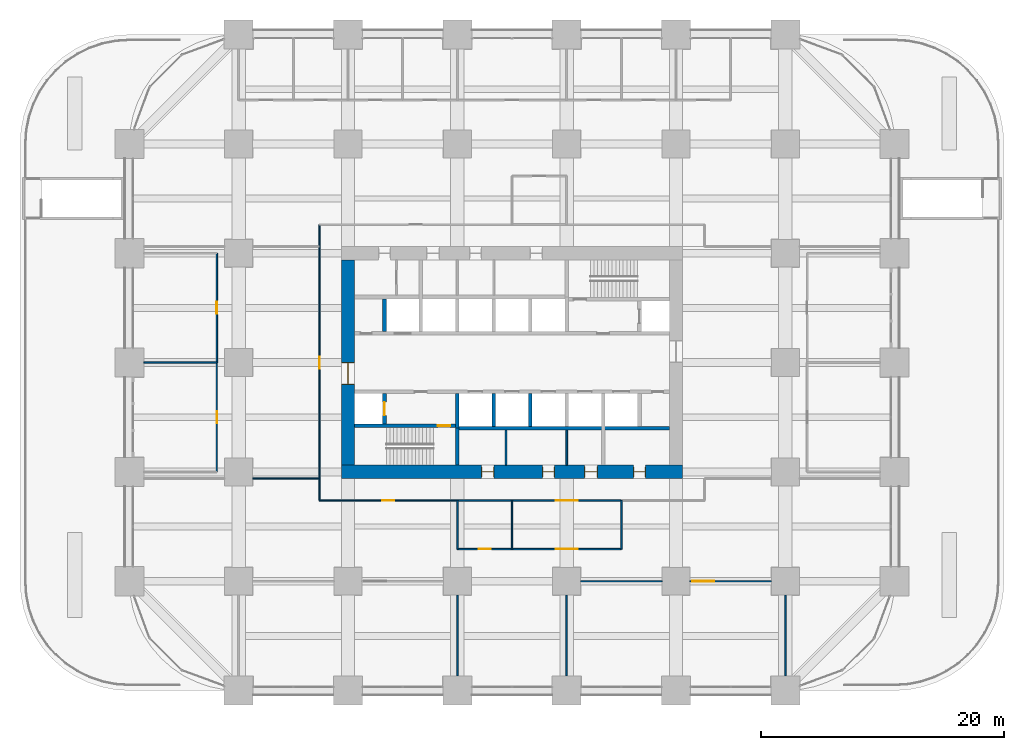
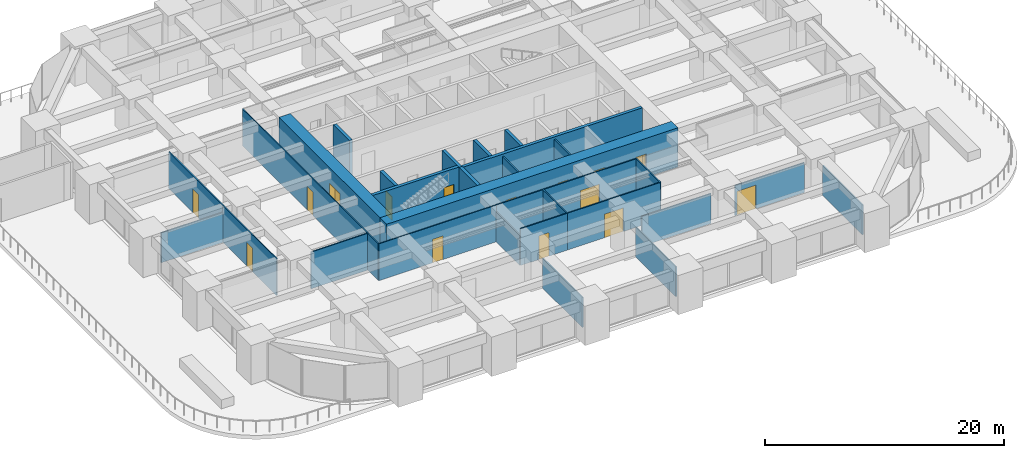
# One storey, part 32 of 38: 30 walls, 15 doors, 15 openings.
"""IFC4 building model written with IfcOpenShell, lengths in metres."""

from ifc_helpers import new_model, si_unit, direction, frame, frame_2d, origin, place, context, subcontext, project, spatial, rectangle, extrude, material, layer, layer_set, type_object, element, fill, save


model = new_model("IFC4")

# Units and contexts
model_context = context("Model", 3, precision=1e-05, world=origin(), true_north=direction((0.0, 1.0)))
body_context = subcontext(model_context, "Body", "Model", "MODEL_VIEW")
ifc_project = project(units=[si_unit("LENGTHUNIT", "METRE"), si_unit("AREAUNIT", "SQUARE_METRE"), si_unit("VOLUMEUNIT", "CUBIC_METRE"), si_unit("PLANEANGLEUNIT", "RADIAN"), si_unit("MASSUNIT", "GRAM", prefix="KILO")], contexts=[model_context])

# Site, building, storey
site_placement = place(None, origin())
site = spatial("IfcSite", under=ifc_project, at=site_placement, CompositionType="ELEMENT")
building_placement = place(site_placement, origin())
building = spatial("IfcBuilding", under=site, at=building_placement, Name="Zorevar Civic Tower", CompositionType="ELEMENT")
storey_placement = place(building_placement, frame((0.0, 0.0, 15.800048828125)))
storey = spatial("IfcBuildingStorey", under=building, at=storey_placement, Name="L03", CompositionType="ELEMENT", Elevation=15.800048828125)

# Wall, openings, doors
ifc_material_1 = material(Name="Concrete C50/60", Category="concrete")
ifc_layer_1 = layer(ifc_material_1, 1.10009765625)
ifc_layer_set_1 = layer_set([ifc_layer_1], Name="Core wall 1100")
wall_type_1 = type_object("IfcWallType", Name="Core wall 1100", PredefinedType="SHEAR", material=ifc_layer_set_1)
wall_1_placement = place(storey_placement, frame((17.449951171875, 18.0, 0.0), z_axis=(0.0, 0.0, 1.0), x_axis=(1.0, 0.0, 0.0)))
wall_1 = element("IfcWall", 1, at=wall_1_placement, inside=storey, type_object=wall_type_1, Name="Core wall S L03", PredefinedType="SHEAR", context=body_context, shape_type="SweptSolid", body=[
    extrude(rectangle(XDim=28.10009765625, YDim=1.10009765625, at=frame_2d((14.050048828125, 0.0))), origin(), (0.0, 0.0, 1.0), 4.0),
])
opening_1_placement = place(wall_1_placement, frame((11.550048828125, 0.0, 0.0)))
opening_1 = element("IfcOpeningElement", 2, at=opening_1_placement, cuts=wall_1, Name="Opening L03.03", PredefinedType="OPENING", context=body_context, shape_type="SweptSolid", body=[
    extrude(rectangle(XDim=1.0, YDim=2.39990234375, at=frame_2d((0.5, 1.199951171875))), frame((0.0, 0.56005859375, 0.0), z_axis=(0.0, -1.0, 0.0), x_axis=(1.0, 0.0, 0.0)), (0.0, 0.0, 1.0), 1.1201171875),
])
opening_2_placement = place(wall_1_placement, frame((16.550048828125, 0.0, 0.0)))
opening_2 = element("IfcOpeningElement", 3, at=opening_2_placement, cuts=wall_1, Name="Opening L03.04", PredefinedType="OPENING", context=body_context, shape_type="SweptSolid", body=[
    extrude(rectangle(XDim=1.0, YDim=2.39990234375, at=frame_2d((0.5, 1.199951171875))), frame((0.0, 0.56005859375, 0.0), z_axis=(0.0, -1.0, 0.0), x_axis=(1.0, 0.0, 0.0)), (0.0, 0.0, 1.0), 1.1201171875),
])
opening_3_placement = place(wall_1_placement, frame((20.0, 0.0, 0.0)))
opening_3 = element("IfcOpeningElement", 4, at=opening_3_placement, cuts=wall_1, Name="Opening L03.05", PredefinedType="OPENING", context=body_context, shape_type="SweptSolid", body=[
    extrude(rectangle(XDim=1.10009765625, YDim=2.39990234375, at=frame_2d((0.550048828125, 1.199951171875))), frame((0.0, 0.56005859375, 0.0), z_axis=(0.0, -1.0, 0.0), x_axis=(1.0, 0.0, 0.0)), (0.0, 0.0, 1.0), 1.1201171875),
])
opening_4_placement = place(wall_1_placement, frame((24.050048828125, 0.0, 0.0)))
opening_4 = element("IfcOpeningElement", 5, at=opening_4_placement, cuts=wall_1, Name="Opening L03.06", PredefinedType="OPENING", context=body_context, shape_type="SweptSolid", body=[
    extrude(rectangle(XDim=1.0, YDim=2.39990234375, at=frame_2d((0.5, 1.199951171875))), frame((0.0, 0.56005859375, 0.0), z_axis=(0.0, -1.0, 0.0), x_axis=(1.0, 0.0, 0.0)), (0.0, 0.0, 1.0), 1.1201171875),
])
ifc_material_2 = material(Name="Timber door set", Category="wood")
door_type_1 = type_object("IfcDoorType", Name="Door D1 1000x2400", OperationType="SINGLE_SWING_LEFT", PredefinedType="DOOR", material=ifc_material_2)
door_1_placement = place(opening_1_placement, origin())
door_1 = element("IfcDoor", 6, at=door_1_placement, inside=storey, type_object=door_type_1, Name="Door L03 02", OperationType="SINGLE_SWING_RIGHT", OverallHeight=2.39990234375, OverallWidth=1.0, PredefinedType="DOOR", context=body_context, shape_type="SweptSolid", body=[
    extrude(rectangle(XDim=1.0, YDim=2.39990234375, at=frame_2d((0.5, 1.199951171875))), frame((0.0, 0.02490234375, 0.0), z_axis=(0.0, -1.0, 0.0), x_axis=(1.0, 0.0, 0.0)), (0.0, 0.0, 1.0), 0.050048828125),
    extrude(rectangle(XDim=0.04, YDim=2.39990234375, at=frame_2d((0.02001953125, 1.199951171875))), frame((0.0, 0.39990234375, 0.0), z_axis=(0.0, -1.0, 0.0), x_axis=(1.0, 0.0, 0.0)), (0.0, 0.0, 1.0), 0.800048828125),
    extrude(rectangle(XDim=0.04, YDim=2.39990234375, at=frame_2d((0.97998046875, 1.199951171875))), frame((0.0, 0.39990234375, 0.0), z_axis=(0.0, -1.0, 0.0), x_axis=(1.0, 0.0, 0.0)), (0.0, 0.0, 1.0), 0.800048828125),
    extrude(rectangle(XDim=1.0, YDim=0.04, at=frame_2d((0.5, 2.3798828125))), frame((0.0, 0.39990234375, 0.0), z_axis=(0.0, -1.0, 0.0), x_axis=(1.0, 0.0, 0.0)), (0.0, 0.0, 1.0), 0.800048828125),
])
fill(opening_1, door_1)
door_2_placement = place(opening_2_placement, origin())
door_2 = element("IfcDoor", 7, at=door_2_placement, inside=storey, type_object=door_type_1, Name="Door L03 03", OperationType="SINGLE_SWING_LEFT", OverallHeight=2.39990234375, OverallWidth=1.0, PredefinedType="DOOR", context=body_context, shape_type="SweptSolid", body=[
    extrude(rectangle(XDim=1.0, YDim=2.39990234375, at=frame_2d((0.5, 1.199951171875))), frame((0.0, 0.02490234375, 0.0), z_axis=(0.0, -1.0, 0.0), x_axis=(1.0, 0.0, 0.0)), (0.0, 0.0, 1.0), 0.050048828125),
    extrude(rectangle(XDim=0.04, YDim=2.39990234375, at=frame_2d((0.02001953125, 1.199951171875))), frame((0.0, 0.39990234375, 0.0), z_axis=(0.0, -1.0, 0.0), x_axis=(1.0, 0.0, 0.0)), (0.0, 0.0, 1.0), 0.800048828125),
    extrude(rectangle(XDim=0.04, YDim=2.39990234375, at=frame_2d((0.97998046875, 1.199951171875))), frame((0.0, 0.39990234375, 0.0), z_axis=(0.0, -1.0, 0.0), x_axis=(1.0, 0.0, 0.0)), (0.0, 0.0, 1.0), 0.800048828125),
    extrude(rectangle(XDim=1.0, YDim=0.04, at=frame_2d((0.5, 2.3798828125))), frame((0.0, 0.39990234375, 0.0), z_axis=(0.0, -1.0, 0.0), x_axis=(1.0, 0.0, 0.0)), (0.0, 0.0, 1.0), 0.800048828125),
])
fill(opening_2, door_2)
door_3_placement = place(opening_4_placement, origin())
door_3 = element("IfcDoor", 8, at=door_3_placement, inside=storey, type_object=door_type_1, Name="Door L03 05", OperationType="SINGLE_SWING_LEFT", OverallHeight=2.39990234375, OverallWidth=1.0, PredefinedType="DOOR", context=body_context, shape_type="SweptSolid", body=[
    extrude(rectangle(XDim=1.0, YDim=2.39990234375, at=frame_2d((0.5, 1.199951171875))), frame((0.0, 0.02490234375, 0.0), z_axis=(0.0, -1.0, 0.0), x_axis=(1.0, 0.0, 0.0)), (0.0, 0.0, 1.0), 0.050048828125),
    extrude(rectangle(XDim=0.04, YDim=2.39990234375, at=frame_2d((0.02001953125, 1.199951171875))), frame((0.0, 0.39990234375, 0.0), z_axis=(0.0, -1.0, 0.0), x_axis=(1.0, 0.0, 0.0)), (0.0, 0.0, 1.0), 0.800048828125),
    extrude(rectangle(XDim=0.04, YDim=2.39990234375, at=frame_2d((0.97998046875, 1.199951171875))), frame((0.0, 0.39990234375, 0.0), z_axis=(0.0, -1.0, 0.0), x_axis=(1.0, 0.0, 0.0)), (0.0, 0.0, 1.0), 0.800048828125),
    extrude(rectangle(XDim=1.0, YDim=0.04, at=frame_2d((0.5, 2.3798828125))), frame((0.0, 0.39990234375, 0.0), z_axis=(0.0, -1.0, 0.0), x_axis=(1.0, 0.0, 0.0)), (0.0, 0.0, 1.0), 0.800048828125),
])
fill(opening_4, door_3)
ifc_material_3 = material(Name="Timber door set", Category="wood")
door_type_2 = type_object("IfcDoorType", Name="Door D5 1100x2400", OperationType="SINGLE_SWING_LEFT", PredefinedType="DOOR", material=ifc_material_3)
door_4_placement = place(opening_3_placement, origin())
door_4 = element("IfcDoor", 9, at=door_4_placement, inside=storey, type_object=door_type_2, Name="Door L03 04", OperationType="SINGLE_SWING_LEFT", OverallHeight=2.39990234375, OverallWidth=1.10009765625, PredefinedType="DOOR", context=body_context, shape_type="SweptSolid", body=[
    extrude(rectangle(XDim=1.10009765625, YDim=2.39990234375, at=frame_2d((0.550048828125, 1.199951171875))), frame((0.0, 0.02490234375, 0.0), z_axis=(0.0, -1.0, 0.0), x_axis=(1.0, 0.0, 0.0)), (0.0, 0.0, 1.0), 0.050048828125),
    extrude(rectangle(XDim=0.04, YDim=2.39990234375, at=frame_2d((0.02001953125, 1.199951171875))), frame((0.0, 0.43994140625, 0.0), z_axis=(0.0, -1.0, 0.0), x_axis=(1.0, 0.0, 0.0)), (0.0, 0.0, 1.0), 0.880126953125),
    extrude(rectangle(XDim=0.04, YDim=2.39990234375, at=frame_2d((1.080078125, 1.199951171875))), frame((0.0, 0.43994140625, 0.0), z_axis=(0.0, -1.0, 0.0), x_axis=(1.0, 0.0, 0.0)), (0.0, 0.0, 1.0), 0.880126953125),
    extrude(rectangle(XDim=1.10009765625, YDim=0.04, at=frame_2d((0.550048828125, 2.3798828125))), frame((0.0, 0.43994140625, 0.0), z_axis=(0.0, -1.0, 0.0), x_axis=(1.0, 0.0, 0.0)), (0.0, 0.0, 1.0), 0.880126953125),
])
fill(opening_3, door_4)

# Wall, opening, door
wall_2_placement = place(storey_placement, frame((18.0, 35.449951171875, 0.0), z_axis=(0.0, 0.0, 1.0), x_axis=(0.0, -1.0, 0.0)))
wall_2 = element("IfcWall", 10, at=wall_2_placement, inside=storey, type_object=wall_type_1, Name="Core wall W L03", PredefinedType="SHEAR", context=body_context, shape_type="SweptSolid", body=[
    extrude(rectangle(XDim=16.89990234375, YDim=1.10009765625, at=frame_2d((8.449951171875, 0.0))), origin(), (0.0, 0.0, 1.0), 4.0),
])
opening_5_placement = place(wall_2_placement, frame((8.449951171875, 0.0, 0.0)))
opening_5 = element("IfcOpeningElement", 11, at=opening_5_placement, cuts=wall_2, Name="Opening L03.01", PredefinedType="OPENING", context=body_context, shape_type="SweptSolid", body=[
    extrude(rectangle(XDim=1.800048828125, YDim=2.39990234375, at=frame_2d((0.89990234375, 1.199951171875))), frame((0.0, 0.56005859375, 0.0), z_axis=(0.0, -1.0, 0.0), x_axis=(1.0, 0.0, 0.0)), (0.0, 0.0, 1.0), 1.1201171875),
])
ifc_material_4 = material(Name="Steel door set", Category="steel")
door_type_3 = type_object("IfcDoorType", Name="Fire door FD2 1800x2400", OperationType="DOUBLE_DOOR_DOUBLE_SWING", PredefinedType="DOOR", material=ifc_material_4)
door_5_placement = place(opening_5_placement, origin())
door_5 = element("IfcDoor", 12, at=door_5_placement, inside=storey, type_object=door_type_3, Name="Door L03 00", OperationType="DOUBLE_DOOR_DOUBLE_SWING", OverallHeight=2.39990234375, OverallWidth=1.800048828125, PredefinedType="DOOR", context=body_context, shape_type="SweptSolid", body=[
    extrude(rectangle(XDim=1.800048828125, YDim=2.39990234375, at=frame_2d((0.89990234375, 1.199951171875))), frame((0.0, 0.030029296875, 0.0), z_axis=(0.0, -1.0, 0.0), x_axis=(1.0, 0.0, 0.0)), (0.0, 0.0, 1.0), 0.06005859375),
    extrude(rectangle(XDim=0.04, YDim=2.39990234375, at=frame_2d((0.02001953125, 1.199951171875))), frame((0.0, 0.5498046875, 0.0), z_axis=(0.0, -1.0, 0.0), x_axis=(1.0, 0.0, 0.0)), (0.0, 0.0, 1.0), 1.099609375),
    extrude(rectangle(XDim=0.04, YDim=2.39990234375, at=frame_2d((1.780029296875, 1.199951171875))), frame((0.0, 0.5498046875, 0.0), z_axis=(0.0, -1.0, 0.0), x_axis=(1.0, 0.0, 0.0)), (0.0, 0.0, 1.0), 1.099609375),
    extrude(rectangle(XDim=1.800048828125, YDim=0.04, at=frame_2d((0.89990234375, 2.3798828125))), frame((0.0, 0.5498046875, 0.0), z_axis=(0.0, -1.0, 0.0), x_axis=(1.0, 0.0, 0.0)), (0.0, 0.0, 1.0), 1.099609375),
])
fill(opening_5, door_5)

ifc_material_5 = material(Name="Laminated glass in black aluminium frame", Category="aluminium")
ifc_layer_2 = layer(ifc_material_5, 0.10009765625)
ifc_layer_set_2 = layer_set([ifc_layer_2], Name="Glazed partition 100")
wall_type_2 = type_object("IfcWallType", Name="Glazed partition 100", PredefinedType="PARTITIONING", material=ifc_layer_set_2)
wall_3_placement = place(storey_placement, frame((15.64990234375, 15.64990234375, 0.0), z_axis=(0.0, 0.0, 1.0), x_axis=(1.0, 0.0, 0.0)))
wall_3 = element("IfcWall", 13, at=wall_3_placement, inside=storey, type_object=wall_type_2, Name="Glazed partition 100 L03", PredefinedType="PARTITIONING", context=body_context, shape_type="SweptSolid", body=[
    extrude(rectangle(XDim=11.35009765625, YDim=0.10009765625, at=frame_2d((5.675048828125, 0.0))), origin(), (0.0, 0.0, 1.0), 3.75),
])
opening_6_placement = place(wall_3_placement, frame((5.175048828125, 0.0, 0.0)))
opening_6 = element("IfcOpeningElement", 14, at=opening_6_placement, cuts=wall_3, Name="Opening L03.22", PredefinedType="OPENING", context=body_context, shape_type="SweptSolid", body=[
    extrude(rectangle(XDim=1.0, YDim=2.39990234375, at=frame_2d((0.5, 1.199951171875))), frame((0.0, 0.06005859375, 0.0), z_axis=(0.0, -1.0, 0.0), x_axis=(1.0, 0.0, 0.0)), (0.0, 0.0, 1.0), 0.1201171875),
])
ifc_material_6 = material(Name="Timber door set", Category="wood")
door_type_4 = type_object("IfcDoorType", Name="Glazed door GD1 1000x2400", OperationType="SINGLE_SWING_LEFT", PredefinedType="DOOR", material=ifc_material_6)
door_6_placement = place(opening_6_placement, origin())
door_6 = element("IfcDoor", 15, at=door_6_placement, inside=storey, type_object=door_type_4, Name="Door L03 D1", OperationType="SINGLE_SWING_RIGHT", OverallHeight=2.39990234375, OverallWidth=1.0, PredefinedType="DOOR", context=body_context, shape_type="SweptSolid", body=[
    extrude(rectangle(XDim=1.0, YDim=2.39990234375, at=frame_2d((0.5, 1.199951171875))), frame((0.0, 0.02001953125, 0.0), z_axis=(0.0, -1.0, 0.0), x_axis=(1.0, 0.0, 0.0)), (0.0, 0.0, 1.0), 0.0400390625),
])
fill(opening_6, door_6)

# Wall
wall_4_placement = place(storey_placement, frame((10.14990234375, 17.449951171875, 0.0), z_axis=(0.0, 0.0, 1.0), x_axis=(1.0, 0.0, 0.0)))
element("IfcWall", 16, at=wall_4_placement, inside=storey, type_object=wall_type_2, Name="Glazed partition 100 L03", PredefinedType="PARTITIONING", context=body_context, shape_type="SweptSolid", body=[
    extrude(rectangle(XDim=5.5, YDim=0.10009765625, at=frame_2d((2.75, 0.0))), origin(), (0.0, 0.0, 1.0), 3.75),
])

# Wall, opening, door
wall_5_placement = place(storey_placement, frame((7.199951171875, 18.0, 0.0), z_axis=(0.0, 0.0, 1.0), x_axis=(0.0, 1.0, 0.0)))
wall_5 = element("IfcWall", 17, at=wall_5_placement, inside=storey, type_object=wall_type_2, Name="Glazed partition 100 L03", PredefinedType="PARTITIONING", context=body_context, shape_type="SweptSolid", body=[
    extrude(rectangle(XDim=9.0, YDim=0.10009765625, at=frame_2d((4.5, 0.0))), origin(), (0.0, 0.0, 1.0), 3.75),
])
opening_7_placement = place(wall_5_placement, frame((4.0, 0.0, 0.0)))
opening_7 = element("IfcOpeningElement", 18, at=opening_7_placement, cuts=wall_5, Name="Opening L03.34", PredefinedType="OPENING", context=body_context, shape_type="SweptSolid", body=[
    extrude(rectangle(XDim=1.0, YDim=2.39990234375, at=frame_2d((0.5, 1.199951171875))), frame((0.0, 0.06005859375, 0.0), z_axis=(0.0, -1.0, 0.0), x_axis=(1.0, 0.0, 0.0)), (0.0, 0.0, 1.0), 0.1201171875),
])
door_7_placement = place(opening_7_placement, origin())
door_7 = element("IfcDoor", 19, at=door_7_placement, inside=storey, type_object=door_type_4, Name="Door L03 D1", OperationType="SINGLE_SWING_LEFT", OverallHeight=2.39990234375, OverallWidth=1.0, PredefinedType="DOOR", context=body_context, shape_type="SweptSolid", body=[
    extrude(rectangle(XDim=1.0, YDim=2.39990234375, at=frame_2d((0.5, 1.199951171875))), frame((0.0, 0.02001953125, 0.0), z_axis=(0.0, -1.0, 0.0), x_axis=(1.0, 0.0, 0.0)), (0.0, 0.0, 1.0), 0.0400390625),
])
fill(opening_7, door_7)

wall_6_placement = place(storey_placement, frame((15.64990234375, 15.64990234375, 0.0), z_axis=(0.0, 0.0, 1.0), x_axis=(0.0, 1.0, 0.0)))
wall_6 = element("IfcWall", 20, at=wall_6_placement, inside=storey, type_object=wall_type_2, Name="Glazed partition 100 L03", PredefinedType="PARTITIONING", context=body_context, shape_type="SweptSolid", body=[
    extrude(rectangle(XDim=22.7001953125, YDim=0.10009765625, at=frame_2d((11.35009765625, 0.0))), origin(), (0.0, 0.0, 1.0), 3.75),
])
opening_8_placement = place(wall_6_placement, frame((10.85009765625, 0.0, 0.0)))
opening_8 = element("IfcOpeningElement", 21, at=opening_8_placement, cuts=wall_6, Name="Opening L03.35", PredefinedType="OPENING", context=body_context, shape_type="SweptSolid", body=[
    extrude(rectangle(XDim=1.0, YDim=2.39990234375, at=frame_2d((0.5, 1.199951171875))), frame((0.0, 0.06005859375, 0.0), z_axis=(0.0, -1.0, 0.0), x_axis=(1.0, 0.0, 0.0)), (0.0, 0.0, 1.0), 0.1201171875),
])
door_8_placement = place(opening_8_placement, origin())
door_8 = element("IfcDoor", 22, at=door_8_placement, inside=storey, type_object=door_type_4, Name="Door L03 D1", OperationType="SINGLE_SWING_RIGHT", OverallHeight=2.39990234375, OverallWidth=1.0, PredefinedType="DOOR", context=body_context, shape_type="SweptSolid", body=[
    extrude(rectangle(XDim=1.0, YDim=2.39990234375, at=frame_2d((0.5, 1.199951171875))), frame((0.0, 0.02001953125, 0.0), z_axis=(0.0, -1.0, 0.0), x_axis=(1.0, 0.0, 0.0)), (0.0, 0.0, 1.0), 0.0400390625),
])
fill(opening_8, door_8)

ifc_material_7 = material(Name="Concrete C40/50", Category="concrete")
ifc_layer_3 = layer(ifc_material_7, 0.300048828125)
ifc_layer_set_3 = layer_set([ifc_layer_3], Name="Inner core wall 300")
wall_type_3 = type_object("IfcWallType", Name="Inner core wall 300", PredefinedType="SHEAR", material=ifc_layer_set_3)
wall_7_placement = place(storey_placement, frame((18.550048828125, 21.800048828125, 0.0), z_axis=(0.0, 0.0, 1.0), x_axis=(1.0, 0.0, 0.0)))
wall_7 = element("IfcWall", 23, at=wall_7_placement, inside=storey, type_object=wall_type_3, Name="Inner core wall S00 L03", PredefinedType="SHEAR", context=body_context, shape_type="SweptSolid", body=[
    extrude(rectangle(XDim=8.300048828125, YDim=0.300048828125, at=frame_2d((4.14990234375, 0.0))), origin(), (0.0, 0.0, 1.0), 4.0),
])
opening_9_placement = place(wall_7_placement, frame((6.85009765625, 0.0, 0.0)))
opening_9 = element("IfcOpeningElement", 24, at=opening_9_placement, cuts=wall_7, Name="Opening L03.11", PredefinedType="OPENING", context=body_context, shape_type="SweptSolid", body=[
    extrude(rectangle(XDim=1.0, YDim=2.39990234375, at=frame_2d((0.5, 1.199951171875))), frame((0.0, 0.159912109375, 0.0), z_axis=(0.0, -1.0, 0.0), x_axis=(1.0, 0.0, 0.0)), (0.0, 0.0, 1.0), 0.320068359375),
])
ifc_material_8 = material(Name="Steel door set", Category="steel")
door_type_5 = type_object("IfcDoorType", Name="Fire door FD1 1000x2400", OperationType="SINGLE_SWING_LEFT", PredefinedType="DOOR", material=ifc_material_8)
door_9_placement = place(opening_9_placement, origin())
door_9 = element("IfcDoor", 25, at=door_9_placement, inside=storey, type_object=door_type_5, Name="Door L03 10", OperationType="SINGLE_SWING_RIGHT", OverallHeight=2.39990234375, OverallWidth=1.0, PredefinedType="DOOR", context=body_context, shape_type="SweptSolid", body=[
    extrude(rectangle(XDim=1.0, YDim=2.39990234375, at=frame_2d((0.5, 1.199951171875))), frame((0.0, 0.030029296875, 0.0), z_axis=(0.0, -1.0, 0.0), x_axis=(1.0, 0.0, 0.0)), (0.0, 0.0, 1.0), 0.06005859375),
])
fill(opening_9, door_9)

# Wall
wall_8_placement = place(storey_placement, frame((27.0, 18.550048828125, 0.0), z_axis=(0.0, 0.0, 1.0), x_axis=(0.0, 1.0, 0.0)))
element("IfcWall", 26, at=wall_8_placement, inside=storey, type_object=wall_type_3, Name="Inner core wall S01 L03", PredefinedType="SHEAR", context=body_context, shape_type="SweptSolid", body=[
    extrude(rectangle(XDim=3.050048828125, YDim=0.300048828125, at=frame_2d((1.52490234375, 0.0))), origin(), (0.0, 0.0, 1.0), 4.0),
])

# Wall, opening, door
wall_9_placement = place(storey_placement, frame((21.0, 21.949951171875, 0.0), z_axis=(0.0, 0.0, 1.0), x_axis=(0.0, 1.0, 0.0)))
wall_9 = element("IfcWall", 27, at=wall_9_placement, inside=storey, type_object=wall_type_3, Name="Inner core wall S02 L03", PredefinedType="SHEAR", context=body_context, shape_type="SweptSolid", body=[
    extrude(rectangle(XDim=2.5, YDim=0.300048828125, at=frame_2d((1.25, 0.0))), origin(), (0.0, 0.0, 1.0), 4.0),
])
opening_10_placement = place(wall_9_placement, frame((0.699951171875, 0.0, 0.0)))
opening_10 = element("IfcOpeningElement", 28, at=opening_10_placement, cuts=wall_9, Name="Opening L03.FL1", PredefinedType="OPENING", context=body_context, shape_type="SweptSolid", body=[
    extrude(rectangle(XDim=1.10009765625, YDim=2.39990234375, at=frame_2d((0.550048828125, 1.199951171875))), frame((0.0, 0.159912109375, 0.0), z_axis=(0.0, -1.0, 0.0), x_axis=(1.0, 0.0, 0.0)), (0.0, 0.0, 1.0), 0.320068359375),
])
ifc_material_9 = material(Name="Steel door set", Category="steel")
door_type_6 = type_object("IfcDoorType", Name="Firefighting lift landing door LD3 1100x2400", OperationType="DOUBLE_DOOR_SLIDING", PredefinedType="DOOR", material=ifc_material_9)
door_10_placement = place(opening_10_placement, origin())
door_10 = element("IfcDoor", 29, at=door_10_placement, inside=storey, type_object=door_type_6, Name="Landing door FL1 L03", OperationType="DOUBLE_DOOR_SLIDING", OverallHeight=2.39990234375, OverallWidth=1.10009765625, PredefinedType="DOOR", context=body_context, shape_type="SweptSolid", body=[
    extrude(rectangle(XDim=1.10009765625, YDim=2.39990234375, at=frame_2d((0.550048828125, 1.199951171875))), frame((0.0, 0.030029296875, 0.0), z_axis=(0.0, -1.0, 0.0), x_axis=(1.0, 0.0, 0.0)), (0.0, 0.0, 1.0), 0.06005859375),
])
fill(opening_10, door_10)

# Walls
wall_10_placement = place(storey_placement, frame((27.14990234375, 21.60009765625, 0.0), z_axis=(0.0, 0.0, 1.0), x_axis=(1.0, 0.0, 0.0)))
element("IfcWall", 30, at=wall_10_placement, inside=storey, type_object=wall_type_3, Name="Inner core wall S04 L03", PredefinedType="SHEAR", context=body_context, shape_type="SweptSolid", body=[
    extrude(rectangle(XDim=17.300048828125, YDim=0.300048828125, at=frame_2d((8.64990234375, 0.0))), origin(), (0.0, 0.0, 1.0), 4.0),
])
for number, where, z_axis, x_axis, name in (
    (31, (30.0, 21.75, 0.0), (0.0, 0.0, 1.0), (0.0, 1.0, 0.0), "Inner core wall S05 L03"),
    (32, (33.0, 21.75, 0.0), (0.0, 0.0, 1.0), (0.0, 1.0, 0.0), "Inner core wall S06 L03"),
    (33, (21.0, 29.550048828125, 0.0), (0.0, 0.0, 1.0), (0.0, 1.0, 0.0), "Inner core wall N09 L03"),
):
    element("IfcWall", number, at=place(storey_placement, frame(where, z_axis=z_axis, x_axis=x_axis)), inside=storey, type_object=wall_type_3, Name=name, PredefinedType="SHEAR", context=body_context, shape_type="SweptSolid", body=[
        extrude(rectangle(XDim=2.699951171875, YDim=0.300048828125, at=frame_2d((1.35009765625, 0.0))), origin(), (0.0, 0.0, 1.0), 4.0),
    ])
wall_11_placement = place(storey_placement, frame((27.0, 21.60009765625, 0.0), z_axis=(0.0, 0.0, 1.0), x_axis=(0.0, 1.0, 0.0)))
element("IfcWall", 34, at=wall_11_placement, inside=storey, type_object=wall_type_3, Name="Inner core wall S10 L03", PredefinedType="SHEAR", context=body_context, shape_type="SweptSolid", body=[
    extrude(rectangle(XDim=2.849853515625, YDim=0.300048828125, at=frame_2d((1.4248046875, 0.0))), origin(), (0.0, 0.0, 1.0), 4.0),
])
ifc_material_10 = material(Name="Gypsum board on steel studs", Category="steel")
ifc_layer_4 = layer(ifc_material_10, 0.1201171875)
ifc_layer_set_4 = layer_set([ifc_layer_4], Name="Partition 120")
wall_type_4 = type_object("IfcWallType", Name="Partition 120", PredefinedType="PARTITIONING", material=ifc_layer_set_4)
wall_12_placement = place(storey_placement, frame((37.14990234375, 9.0, 0.0), z_axis=(0.0, 0.0, 1.0), x_axis=(1.0, 0.0, 0.0)))
element("IfcWall", 35, at=wall_12_placement, inside=storey, type_object=wall_type_4, Name="Partition 120 L03", PredefinedType="PARTITIONING", context=body_context, shape_type="SweptSolid", body=[
    extrude(rectangle(XDim=6.7001953125, YDim=0.1201171875, at=frame_2d((3.35009765625, 0.0))), origin(), (0.0, 0.0, 1.0), 3.050048828125),
])

# Wall, opening, door
wall_13_placement = place(storey_placement, frame((46.14990234375, 9.0, 0.0), z_axis=(0.0, 0.0, 1.0), x_axis=(1.0, 0.0, 0.0)))
wall_13 = element("IfcWall", 36, at=wall_13_placement, inside=storey, type_object=wall_type_4, Name="Partition 120 L03", PredefinedType="PARTITIONING", context=body_context, shape_type="SweptSolid", body=[
    extrude(rectangle(XDim=6.7001953125, YDim=0.1201171875, at=frame_2d((3.35009765625, 0.0))), origin(), (0.0, 0.0, 1.0), 3.050048828125),
])
opening_11_placement = place(wall_13_placement, frame((0.199951171875, 0.0, 0.0)))
opening_11 = element("IfcOpeningElement", 37, at=opening_11_placement, cuts=wall_13, Name="Opening L03.18", PredefinedType="OPENING", context=body_context, shape_type="SweptSolid", body=[
    extrude(rectangle(XDim=1.800048828125, YDim=2.39990234375, at=frame_2d((0.89990234375, 1.199951171875))), frame((0.0, 0.070068359375, 0.0), z_axis=(0.0, -1.0, 0.0), x_axis=(1.0, 0.0, 0.0)), (0.0, 0.0, 1.0), 0.14013671875),
])
ifc_material_11 = material(Name="Steel door set", Category="steel")
door_type_7 = type_object("IfcDoorType", Name="Door D2 1800x2400", OperationType="DOUBLE_DOOR_SINGLE_SWING", PredefinedType="DOOR", material=ifc_material_11)
door_11_placement = place(opening_11_placement, origin())
door_11 = element("IfcDoor", 38, at=door_11_placement, inside=storey, type_object=door_type_7, Name="Door L03 D1", OperationType="DOUBLE_DOOR_SINGLE_SWING", OverallHeight=2.39990234375, OverallWidth=1.800048828125, PredefinedType="DOOR", context=body_context, shape_type="SweptSolid", body=[
    extrude(rectangle(XDim=1.800048828125, YDim=2.39990234375, at=frame_2d((0.89990234375, 1.199951171875))), frame((0.0, 0.02490234375, 0.0), z_axis=(0.0, -1.0, 0.0), x_axis=(1.0, 0.0, 0.0)), (0.0, 0.0, 1.0), 0.050048828125),
])
fill(opening_11, door_11)

wall_14_placement = place(storey_placement, frame((27.0, 11.64990234375, 0.0), z_axis=(0.0, 0.0, 1.0), x_axis=(1.0, 0.0, 0.0)))
wall_14 = element("IfcWall", 39, at=wall_14_placement, inside=storey, type_object=wall_type_4, Name="Partition 120 L03", PredefinedType="PARTITIONING", context=body_context, shape_type="SweptSolid", body=[
    extrude(rectangle(XDim=4.5, YDim=0.1201171875, at=frame_2d((2.25, 0.0))), origin(), (0.0, 0.0, 1.0), 3.75),
])
opening_12_placement = place(wall_14_placement, frame((1.75, 0.0, 0.0)))
opening_12 = element("IfcOpeningElement", 40, at=opening_12_placement, cuts=wall_14, Name="Opening L03.19", PredefinedType="OPENING", context=body_context, shape_type="SweptSolid", body=[
    extrude(rectangle(XDim=1.0, YDim=2.39990234375, at=frame_2d((0.5, 1.199951171875))), frame((0.0, 0.070068359375, 0.0), z_axis=(0.0, -1.0, 0.0), x_axis=(1.0, 0.0, 0.0)), (0.0, 0.0, 1.0), 0.14013671875),
])
door_12_placement = place(opening_12_placement, origin())
door_12 = element("IfcDoor", 41, at=door_12_placement, inside=storey, type_object=door_type_1, Name="Door L03 D1", OperationType="SINGLE_SWING_LEFT", OverallHeight=2.39990234375, OverallWidth=1.0, PredefinedType="DOOR", context=body_context, shape_type="SweptSolid", body=[
    extrude(rectangle(XDim=1.0, YDim=2.39990234375, at=frame_2d((0.5, 1.199951171875))), frame((0.0, 0.02490234375, 0.0), z_axis=(0.0, -1.0, 0.0), x_axis=(1.0, 0.0, 0.0)), (0.0, 0.0, 1.0), 0.050048828125),
])
fill(opening_12, door_12)

wall_15_placement = place(storey_placement, frame((31.5, 11.64990234375, 0.0), z_axis=(0.0, 0.0, 1.0), x_axis=(1.0, 0.0, 0.0)))
wall_15 = element("IfcWall", 42, at=wall_15_placement, inside=storey, type_object=wall_type_4, Name="Partition 120 L03", PredefinedType="PARTITIONING", context=body_context, shape_type="SweptSolid", body=[
    extrude(rectangle(XDim=9.0, YDim=0.1201171875, at=frame_2d((4.5, 0.0))), origin(), (0.0, 0.0, 1.0), 3.75),
])
opening_13_placement = place(wall_15_placement, frame((3.60009765625, 0.0, 0.0)))
opening_13 = element("IfcOpeningElement", 43, at=opening_13_placement, cuts=wall_15, Name="Opening L03.20", PredefinedType="OPENING", context=body_context, shape_type="SweptSolid", body=[
    extrude(rectangle(XDim=1.800048828125, YDim=2.39990234375, at=frame_2d((0.89990234375, 1.199951171875))), frame((0.0, 0.070068359375, 0.0), z_axis=(0.0, -1.0, 0.0), x_axis=(1.0, 0.0, 0.0)), (0.0, 0.0, 1.0), 0.14013671875),
])
door_13_placement = place(opening_13_placement, origin())
door_13 = element("IfcDoor", 44, at=door_13_placement, inside=storey, type_object=door_type_7, Name="Door L03 D1", OperationType="DOUBLE_DOOR_SINGLE_SWING", OverallHeight=2.39990234375, OverallWidth=1.800048828125, PredefinedType="DOOR", context=body_context, shape_type="SweptSolid", body=[
    extrude(rectangle(XDim=1.800048828125, YDim=2.39990234375, at=frame_2d((0.89990234375, 1.199951171875))), frame((0.0, 0.02490234375, 0.0), z_axis=(0.0, -1.0, 0.0), x_axis=(1.0, 0.0, 0.0)), (0.0, 0.0, 1.0), 0.050048828125),
])
fill(opening_13, door_13)

# Wall
wall_16_placement = place(storey_placement, frame((27.0, 15.64990234375, 0.0), z_axis=(0.0, 0.0, 1.0), x_axis=(1.0, 0.0, 0.0)))
element("IfcWall", 45, at=wall_16_placement, inside=storey, type_object=wall_type_4, Name="Partition 120 L03", PredefinedType="PARTITIONING", context=body_context, shape_type="SweptSolid", body=[
    extrude(rectangle(XDim=4.5, YDim=0.1201171875, at=frame_2d((2.25, 0.0))), origin(), (0.0, 0.0, 1.0), 3.75),
])

# Wall, opening, door
wall_17_placement = place(storey_placement, frame((31.5, 15.64990234375, 0.0), z_axis=(0.0, 0.0, 1.0), x_axis=(1.0, 0.0, 0.0)))
wall_17 = element("IfcWall", 46, at=wall_17_placement, inside=storey, type_object=wall_type_4, Name="Partition 120 L03", PredefinedType="PARTITIONING", context=body_context, shape_type="SweptSolid", body=[
    extrude(rectangle(XDim=9.0, YDim=0.1201171875, at=frame_2d((4.5, 0.0))), origin(), (0.0, 0.0, 1.0), 3.75),
])
opening_14_placement = place(wall_17_placement, frame((3.60009765625, 0.0, 0.0)))
opening_14 = element("IfcOpeningElement", 47, at=opening_14_placement, cuts=wall_17, Name="Opening L03.21", PredefinedType="OPENING", context=body_context, shape_type="SweptSolid", body=[
    extrude(rectangle(XDim=1.800048828125, YDim=2.39990234375, at=frame_2d((0.89990234375, 1.199951171875))), frame((0.0, 0.070068359375, 0.0), z_axis=(0.0, -1.0, 0.0), x_axis=(1.0, 0.0, 0.0)), (0.0, 0.0, 1.0), 0.14013671875),
])
door_14_placement = place(opening_14_placement, origin())
door_14 = element("IfcDoor", 48, at=door_14_placement, inside=storey, type_object=door_type_7, Name="Door L03 D1", OperationType="DOUBLE_DOOR_SINGLE_SWING", OverallHeight=2.39990234375, OverallWidth=1.800048828125, PredefinedType="DOOR", context=body_context, shape_type="SweptSolid", body=[
    extrude(rectangle(XDim=1.800048828125, YDim=2.39990234375, at=frame_2d((0.89990234375, 1.199951171875))), frame((0.0, 0.02490234375, 0.0), z_axis=(0.0, -1.0, 0.0), x_axis=(1.0, 0.0, 0.0)), (0.0, 0.0, 1.0), 0.050048828125),
])
fill(opening_14, door_14)

# Wall
wall_18_placement = place(storey_placement, frame((1.199951171875, 27.0, 0.0), z_axis=(0.0, 0.0, 1.0), x_axis=(1.0, 0.0, 0.0)))
element("IfcWall", 49, at=wall_18_placement, inside=storey, type_object=wall_type_4, Name="Partition 120 L03", PredefinedType="PARTITIONING", context=body_context, shape_type="SweptSolid", body=[
    extrude(rectangle(XDim=6.0, YDim=0.1201171875, at=frame_2d((3.0, 0.0))), origin(), (0.0, 0.0, 1.0), 3.050048828125),
])

# Wall, opening, door
wall_19_placement = place(storey_placement, frame((7.199951171875, 27.0, 0.0), z_axis=(0.0, 0.0, 1.0), x_axis=(0.0, 1.0, 0.0)))
wall_19 = element("IfcWall", 50, at=wall_19_placement, inside=storey, type_object=wall_type_4, Name="Partition 120 L03", PredefinedType="PARTITIONING", context=body_context, shape_type="SweptSolid", body=[
    extrude(rectangle(XDim=9.0, YDim=0.1201171875, at=frame_2d((4.5, 0.0))), origin(), (0.0, 0.0, 1.0), 3.75),
])
opening_15_placement = place(wall_19_placement, frame((4.0, 0.0, 0.0)))
opening_15 = element("IfcOpeningElement", 51, at=opening_15_placement, cuts=wall_19, Name="Opening L03.33", PredefinedType="OPENING", context=body_context, shape_type="SweptSolid", body=[
    extrude(rectangle(XDim=1.0, YDim=2.39990234375, at=frame_2d((0.5, 1.199951171875))), frame((0.0, 0.070068359375, 0.0), z_axis=(0.0, -1.0, 0.0), x_axis=(1.0, 0.0, 0.0)), (0.0, 0.0, 1.0), 0.14013671875),
])
door_15_placement = place(opening_15_placement, origin())
door_15 = element("IfcDoor", 52, at=door_15_placement, inside=storey, type_object=door_type_1, Name="Door L03 D1", OperationType="SINGLE_SWING_RIGHT", OverallHeight=2.39990234375, OverallWidth=1.0, PredefinedType="DOOR", context=body_context, shape_type="SweptSolid", body=[
    extrude(rectangle(XDim=1.0, YDim=2.39990234375, at=frame_2d((0.5, 1.199951171875))), frame((0.0, 0.02490234375, 0.0), z_axis=(0.0, -1.0, 0.0), x_axis=(1.0, 0.0, 0.0)), (0.0, 0.0, 1.0), 0.050048828125),
])
fill(opening_15, door_15)

# Walls
wall_20_placement = place(storey_placement, frame((27.0, 1.199951171875, 0.0), z_axis=(0.0, 0.0, 1.0), x_axis=(0.0, 1.0, 0.0)))
element("IfcWall", 53, at=wall_20_placement, inside=storey, type_object=wall_type_4, Name="Partition 120 L03", PredefinedType="PARTITIONING", context=body_context, shape_type="SweptSolid", body=[
    extrude(rectangle(XDim=6.650146484375, YDim=0.1201171875, at=frame_2d((3.3251953125, 0.0))), origin(), (0.0, 0.0, 1.0), 3.050048828125),
])
wall_21_placement = place(storey_placement, frame((27.0, 11.64990234375, 0.0), z_axis=(0.0, 0.0, 1.0), x_axis=(0.0, 1.0, 0.0)))
element("IfcWall", 54, at=wall_21_placement, inside=storey, type_object=wall_type_4, Name="Partition 120 L03", PredefinedType="PARTITIONING", context=body_context, shape_type="SweptSolid", body=[
    extrude(rectangle(XDim=4.0, YDim=0.1201171875, at=frame_2d((2.0, 0.0))), origin(), (0.0, 0.0, 1.0), 3.050048828125),
])
wall_22_placement = place(storey_placement, frame((31.5, 11.64990234375, 0.0), z_axis=(0.0, 0.0, 1.0), x_axis=(0.0, 1.0, 0.0)))
element("IfcWall", 55, at=wall_22_placement, inside=storey, type_object=wall_type_4, Name="Partition 120 L03", PredefinedType="PARTITIONING", context=body_context, shape_type="SweptSolid", body=[
    extrude(rectangle(XDim=4.0, YDim=0.1201171875, at=frame_2d((2.0, 0.0))), origin(), (0.0, 0.0, 1.0), 3.75),
])
wall_23_placement = place(storey_placement, frame((36.0, 1.199951171875, 0.0), z_axis=(0.0, 0.0, 1.0), x_axis=(0.0, 1.0, 0.0)))
element("IfcWall", 56, at=wall_23_placement, inside=storey, type_object=wall_type_4, Name="Partition 120 L03", PredefinedType="PARTITIONING", context=body_context, shape_type="SweptSolid", body=[
    extrude(rectangle(XDim=6.650146484375, YDim=0.1201171875, at=frame_2d((3.3251953125, 0.0))), origin(), (0.0, 0.0, 1.0), 3.050048828125),
])
wall_24_placement = place(storey_placement, frame((40.5, 11.64990234375, 0.0), z_axis=(0.0, 0.0, 1.0), x_axis=(0.0, 1.0, 0.0)))
element("IfcWall", 57, at=wall_24_placement, inside=storey, type_object=wall_type_4, Name="Partition 120 L03", PredefinedType="PARTITIONING", context=body_context, shape_type="SweptSolid", body=[
    extrude(rectangle(XDim=4.0, YDim=0.1201171875, at=frame_2d((2.0, 0.0))), origin(), (0.0, 0.0, 1.0), 3.75),
])
wall_25_placement = place(storey_placement, frame((54.0, 1.199951171875, 0.0), z_axis=(0.0, 0.0, 1.0), x_axis=(0.0, 1.0, 0.0)))
element("IfcWall", 58, at=wall_25_placement, inside=storey, type_object=wall_type_4, Name="Partition 120 L03", PredefinedType="PARTITIONING", context=body_context, shape_type="SweptSolid", body=[
    extrude(rectangle(XDim=6.650146484375, YDim=0.1201171875, at=frame_2d((3.3251953125, 0.0))), origin(), (0.0, 0.0, 1.0), 3.050048828125),
])
ifc_material_12 = material(Name="Gypsum board on steel studs, moisture resistant", Category="steel")
ifc_layer_5 = layer(ifc_material_12, 0.14990234375)
ifc_layer_set_5 = layer_set([ifc_layer_5], Name="WC partition 150")
wall_type_5 = type_object("IfcWallType", Name="WC partition 150", PredefinedType="PARTITIONING", material=ifc_layer_set_5)
for number, where, z_axis, x_axis, name in (
    (59, (31.0, 18.550048828125, 0.0), (0.0, 0.0, 1.0), (0.0, 1.0, 0.0), "WC partition L03"),
    (60, (36.0, 18.550048828125, 0.0), (0.0, 0.0, 1.0), (0.0, 1.0, 0.0), "WC partition L03"),
):
    element("IfcWall", number, at=place(storey_placement, frame(where, z_axis=z_axis, x_axis=x_axis)), inside=storey, type_object=wall_type_5, Name=name, PredefinedType="PARTITIONING", context=body_context, shape_type="SweptSolid", body=[
        extrude(rectangle(XDim=2.89990234375, YDim=0.14990234375, at=frame_2d((1.449951171875, 0.0))), origin(), (0.0, 0.0, 1.0), 3.75),
    ])

save(model, "model.ifc")
